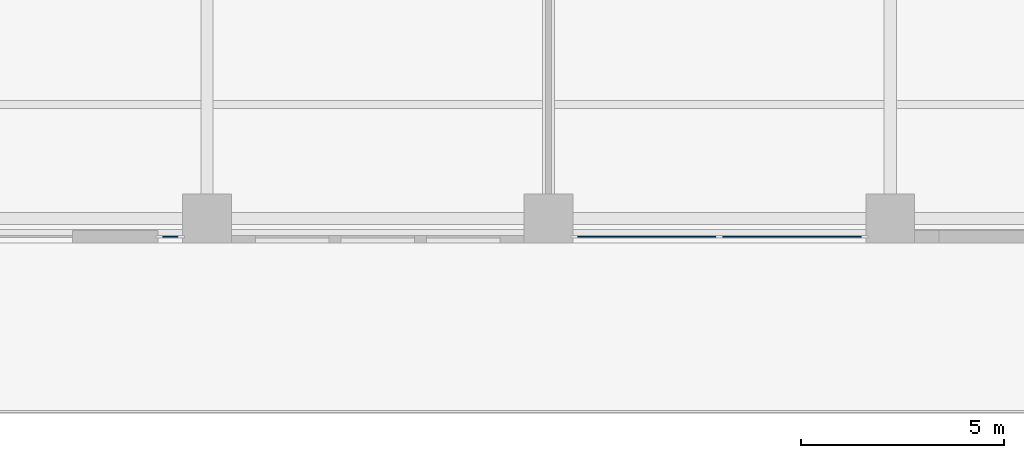
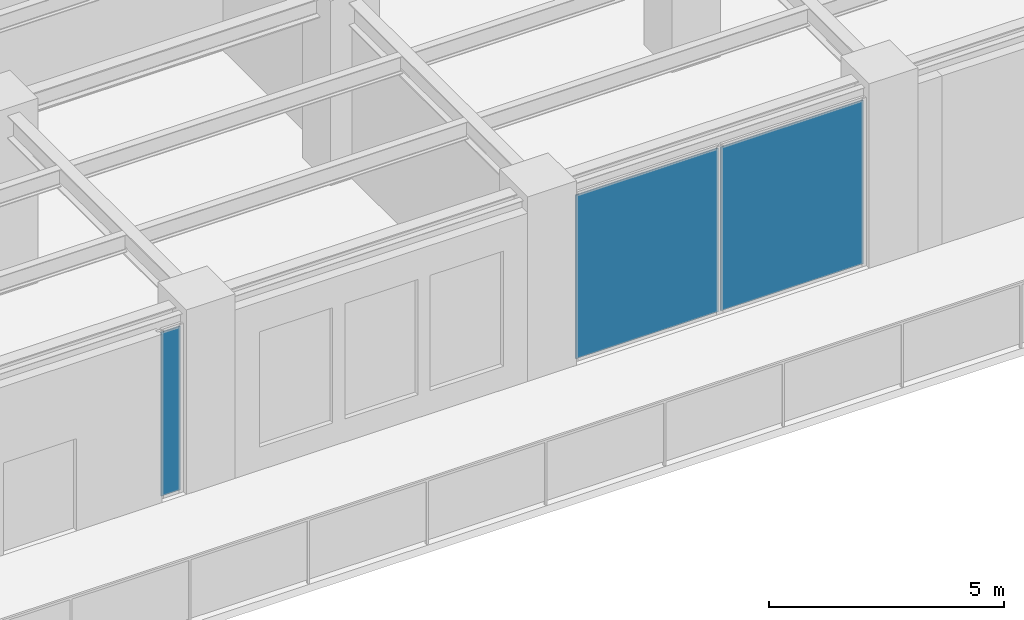
# One storey, part 24 of 53: 3 plates, 2 elements without a shape of their own.
"""IFC4 building model written with IfcOpenShell, lengths in metres."""

from ifc_helpers import new_model, si_unit, direction, frame, origin, origin_2d, place, context, subcontext, project, spatial, rectangle, extrude, material, layer, layer_set, type_object, element, aggregate, save


model = new_model("IFC4")

# Units and contexts
model_context = context("Model", 3, precision=1e-05, world=origin(), true_north=direction((0.0, 1.0)))
body_context = subcontext(model_context, "Body", "Model", "MODEL_VIEW")
ifc_project = project(units=[si_unit("LENGTHUNIT", "METRE"), si_unit("AREAUNIT", "SQUARE_METRE"), si_unit("VOLUMEUNIT", "CUBIC_METRE"), si_unit("PLANEANGLEUNIT", "RADIAN"), si_unit("MASSUNIT", "GRAM", prefix="KILO")], contexts=[model_context])

# Site, building, storey
site_placement = place(None, origin())
site = spatial("IfcSite", under=ifc_project, at=site_placement, CompositionType="ELEMENT")
building_placement = place(site_placement, origin())
building = spatial("IfcBuilding", under=site, at=building_placement, Name="Khepri Terraces", CompositionType="ELEMENT")
storey_placement = place(building_placement, frame((0.0, 0.0, 7.199951171875)))
storey = spatial("IfcBuildingStorey", under=building, at=storey_placement, Name="L01", CompositionType="ELEMENT", Elevation=7.199951171875)

# Curtain wall, plate
ifc_material_1 = material(Name="Anodised aluminium bronze curtain wall", Category="aluminium")
curtain_wall_type = type_object("IfcCurtainWallType", Name="CW-SYS2-PODIUM", PredefinedType="NOTDEFINED", material=ifc_material_1)
curtain_wall_1_placement = place(storey_placement, origin())
curtain_wall_1 = element("IfcCurtainWall", 1, at=curtain_wall_1_placement, inside=storey, type_object=curtain_wall_type, Name="Curtain wall CW2 L01 S", PredefinedType="NOTDEFINED")
ifc_material_2 = material(Name="Clear glass", Category="glass")
ifc_layer = layer(ifc_material_2, 0.028076171875, Name="Clear glass", Category="glass")
ifc_layer_set = layer_set([ifc_layer], Name="Clear glass")
plate_type = type_object("IfcPlateType", Name="CW-PANEL-VISION-28", PredefinedType="CURTAIN_PANEL", material=ifc_layer_set)
plate_1_placement = place(storey_placement, frame((-0.89990234375, -42.449951171875, 0.06005859375), z_axis=(0.0, 0.0, 1.0), x_axis=(1.0, 0.0, 0.0)))
plate_1 = element("IfcPlate", 2, at=plate_1_placement, type_object=plate_type, Name="CW2 panel 1.1", PredefinedType="CURTAIN_PANEL", context=body_context, shape_type="SweptSolid", body=[
    extrude(rectangle(XDim=0.47998046875, YDim=0.028076171875, at=origin_2d()), origin(), (0.0, 0.0, 1.0), 4.260009765625),
])
aggregate(curtain_wall_1, [plate_1])

# Curtain wall, plates
curtain_wall_2_placement = place(storey_placement, origin())
curtain_wall_2 = element("IfcCurtainWall", 3, at=curtain_wall_2_placement, inside=storey, type_object=curtain_wall_type, Name="Curtain wall CW2 L01 S", PredefinedType="NOTDEFINED")
plate_2_placement = place(storey_placement, frame((10.81494140625, -42.449951171875, 0.06005859375), z_axis=(0.0, 0.0, 1.0), x_axis=(1.0, 0.0, 0.0)))
plate_2 = element("IfcPlate", 4, at=plate_2_placement, type_object=plate_type, Name="CW2 panel 1.1", PredefinedType="CURTAIN_PANEL", context=body_context, shape_type="SweptSolid", body=[
    extrude(rectangle(XDim=3.510009765625, YDim=0.028076171875, at=origin_2d()), origin(), (0.0, 0.0, 1.0), 4.260009765625),
])
plate_3_placement = place(storey_placement, frame((14.385009765625, -42.449951171875, 0.06005859375), z_axis=(0.0, 0.0, 1.0), x_axis=(1.0, 0.0, 0.0)))
plate_3 = element("IfcPlate", 5, at=plate_3_placement, type_object=plate_type, Name="CW2 panel 2.1", PredefinedType="CURTAIN_PANEL", context=body_context, shape_type="SweptSolid", body=[
    extrude(rectangle(XDim=3.510009765625, YDim=0.028076171875, at=origin_2d()), origin(), (0.0, 0.0, 1.0), 4.260009765625),
])
aggregate(curtain_wall_2, [plate_2, plate_3])

save(model, "model.ifc")
